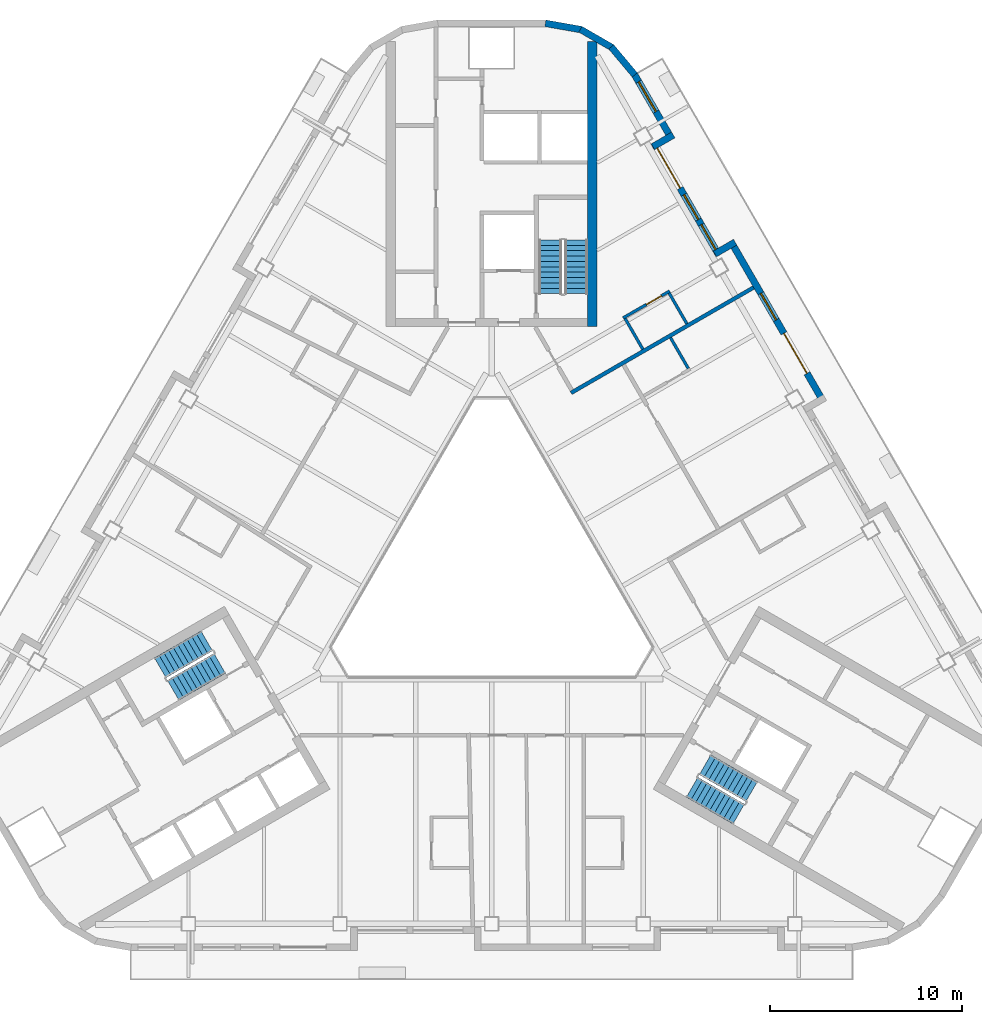
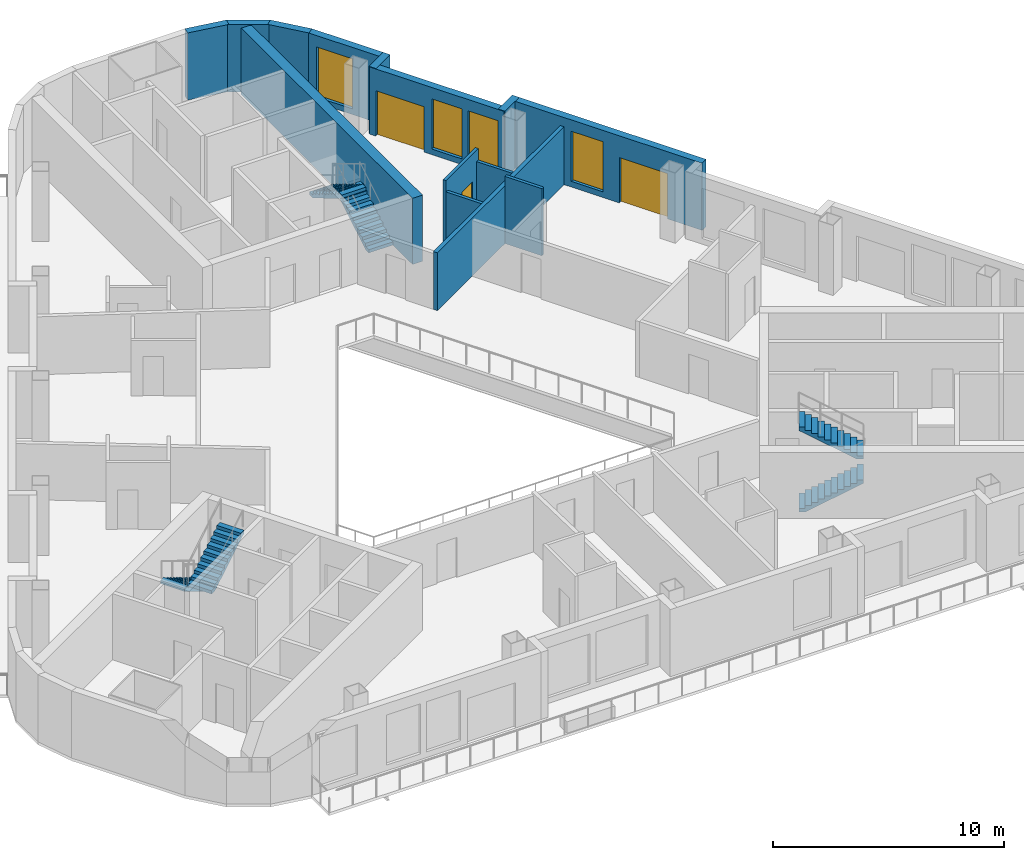
# One storey, part 7 of 13: 14 walls, 6 stair flights, 4 windows, 3 doors, 7 openings, 3 elements without a shape of their own.
"""IFC4 building model written with IfcOpenShell, lengths in metres."""

from ifc_helpers import new_model, si_unit, direction, frame, frame_2d, origin, place, context, subcontext, project, spatial, polyline, rectangle, outline, extrude, material, layer, layer_set, type_object, element, fill, aggregate, save


model = new_model("IFC4")

# Units and contexts
model_context = context("Model", 3, precision=1e-05, world=origin(), true_north=direction((0.0, 1.0)))
body_context = subcontext(model_context, "Body", "Model", "MODEL_VIEW")
ifc_project = project(units=[si_unit("LENGTHUNIT", "METRE"), si_unit("AREAUNIT", "SQUARE_METRE"), si_unit("VOLUMEUNIT", "CUBIC_METRE"), si_unit("PLANEANGLEUNIT", "RADIAN"), si_unit("MASSUNIT", "GRAM", prefix="KILO")], contexts=[model_context])

# Site, building, storey
site_placement = place(None, origin())
site = spatial("IfcSite", under=ifc_project, at=site_placement, CompositionType="ELEMENT")
building_placement = place(site_placement, origin())
building = spatial("IfcBuilding", under=site, at=building_placement, Name="Apuvela Tower Hotel", CompositionType="ELEMENT")
storey_placement = place(building_placement, frame((0.0, 0.0, 198.39990234375)))
storey = spatial("IfcBuildingStorey", under=building, at=storey_placement, Name="L48", CompositionType="ELEMENT", Elevation=198.39990234375)

# Wall
ifc_material_1 = material(Name="Concrete C50/60", Category="concrete")
ifc_layer_1 = layer(ifc_material_1, 0.5)
ifc_layer_set_1 = layer_set([ifc_layer_1], Name="COR-WALL-CORE-500")
wall_type_1 = type_object("IfcWallType", Name="COR-WALL-CORE-500", PredefinedType="SHEAR", material=ifc_layer_set_1)
wall_1_placement = place(storey_placement, frame((5.25, 12.89990234375, 0.0), z_axis=(0.0, 0.0, 1.0), x_axis=(0.0, 1.0, 0.0)))
element("IfcWall", 1, at=wall_1_placement, inside=storey, type_object=wall_type_1, Name="Core wall N", PredefinedType="SHEAR", context=body_context, shape_type="SweptSolid", body=[
    extrude(rectangle(XDim=14.8369140625, YDim=0.5, at=frame_2d((7.41845703125, 0.0))), origin(), (0.0, 0.0, 1.0), 3.5),
])

# Wall, openings, door, window
ifc_material_2 = material(Name="Concrete C40/50, dark pigmented precast panel", Category="concrete")
ifc_layer_2 = layer(ifc_material_2, 0.35009765625)
ifc_layer_set_2 = layer_set([ifc_layer_2], Name="ENV-WALL-350")
wall_type_2 = type_object("IfcWallType", Name="ENV-WALL-350", PredefinedType="SOLIDWALL", material=ifc_layer_set_2)
wall_2_placement = place(storey_placement, frame((17.298583984375, 8.947998046875, 0.0), z_axis=(0.0, 0.0, 1.0), x_axis=(-0.500010041276, 0.866019606374, 0.0)))
wall_2 = element("IfcWall", 2, at=wall_2_placement, inside=storey, type_object=wall_type_2, Name="External wall L48-37", PredefinedType="SOLIDWALL", context=body_context, shape_type="SweptSolid", body=[
    extrude(rectangle(XDim=9.699951171875, YDim=0.35009765625, at=frame_2d((4.85009765625, 0.0))), origin(), (0.0, 0.0, 1.0), 3.550048828125),
])
opening_1_placement = place(wall_2_placement, frame((1.737060546875, 0.0, 0.0)))
opening_1 = element("IfcOpeningElement", 3, at=opening_1_placement, cuts=wall_2, Name="Opening BD24", PredefinedType="OPENING", context=body_context, shape_type="SweptSolid", body=[
    extrude(rectangle(XDim=2.39990234375, YDim=2.39990234375, at=frame_2d((1.199951171875, 1.199951171875))), frame((0.0, 0.18505859375, 0.0), z_axis=(0.0, -1.0, 0.0), x_axis=(1.0, 0.0, 0.0)), (0.0, 0.0, 1.0), 0.3701171875),
])
opening_2_placement = place(wall_2_placement, frame((4.94921875, 0.0, 0.300048828125)))
opening_2 = element("IfcOpeningElement", 4, at=opening_2_placement, cuts=wall_2, Name="Opening WN16", PredefinedType="OPENING", context=body_context, shape_type="SweptSolid", body=[
    extrude(rectangle(XDim=1.60009765625, YDim=2.64990234375, at=frame_2d((0.800048828125, 1.324951171875))), frame((0.0, 0.18505859375, 0.0), z_axis=(0.0, -1.0, 0.0), x_axis=(1.0, 0.0, 0.0)), (0.0, 0.0, 1.0), 0.3701171875),
])
ifc_material_3 = material(Name="Aluminium 6063-T6, dark bronze anodised frame with dark tinted laminated glass", Category="aluminium")
door_type_1 = type_object("IfcDoorType", Name="ENV-DOOR-BALCONY-2400x2400", OperationType="SLIDING_TO_LEFT", PredefinedType="DOOR", material=ifc_material_3)
door_1_placement = place(opening_1_placement, frame((2.39990234375, 0.0, 0.0), z_axis=(0.0, 0.0, 1.0), x_axis=(-1.0, 0.0, 0.0)))
door_1 = element("IfcDoor", 5, at=door_1_placement, inside=storey, type_object=door_type_1, Name="Balcony door BD24", OperationType="SLIDING_TO_LEFT", OverallHeight=2.39990234375, OverallWidth=2.39990234375, PredefinedType="DOOR", context=body_context, shape_type="SweptSolid", body=[
    extrude(rectangle(XDim=2.39990234375, YDim=2.39990234375, at=frame_2d((1.199951171875, 1.199951171875))), frame((0.0, 0.02490234375, 0.0), z_axis=(0.0, -1.0, 0.0), x_axis=(1.0, 0.0, 0.0)), (0.0, 0.0, 1.0), 0.050048828125),
])
fill(opening_1, door_1)
ifc_material_4 = material(Name="Glass, dark tinted laminated insulated glazing unit", Category="glass")
window_type_1 = type_object("IfcWindowType", Name="ENV-WIN-1600x2650", PartitioningType="SINGLE_PANEL", PredefinedType="WINDOW", material=ifc_material_4)
window_1_placement = place(opening_2_placement, origin())
window_1 = element("IfcWindow", 6, at=window_1_placement, inside=storey, type_object=window_type_1, Name="Window WN16", OverallHeight=2.64990234375, OverallWidth=1.60009765625, PartitioningType="SINGLE_PANEL", PredefinedType="WINDOW", context=body_context, shape_type="SweptSolid", body=[
    extrude(rectangle(XDim=1.60009765625, YDim=2.64990234375, at=frame_2d((0.800048828125, 1.324951171875))), frame((0.0, 0.030029296875, 0.0), z_axis=(0.0, -1.0, 0.0), x_axis=(1.0, 0.0, 0.0)), (0.0, 0.0, 1.0), 0.06005859375),
])
fill(opening_2, window_1)

# Wall
wall_3_placement = place(storey_placement, frame((12.6875, 17.284423828125, 0.0), z_axis=(0.0, 0.0, 1.0), x_axis=(-0.865955602162, -0.500120880472, 0.0)))
element("IfcWall", 7, at=wall_3_placement, inside=storey, type_object=wall_type_2, Name="External wall L48-38", PredefinedType="SOLIDWALL", context=body_context, shape_type="SweptSolid", body=[
    extrude(rectangle(XDim=1.219970703125, YDim=0.35009765625, at=frame_2d((0.60986328125, 0.0))), origin(), (0.0, 0.0, 1.0), 3.550048828125),
])

# Wall, openings, door, windows
wall_4_placement = place(storey_placement, frame((11.8291015625, 16.621337890625, 0.0), z_axis=(0.0, 0.0, 1.0), x_axis=(-0.500003597184, 0.866023326939, 0.0)))
wall_4 = element("IfcWall", 8, at=wall_4_placement, inside=storey, type_object=wall_type_2, Name="External wall L48-39", PredefinedType="SOLIDWALL", context=body_context, shape_type="SweptSolid", body=[
    extrude(rectangle(XDim=6.740234375, YDim=0.35009765625, at=frame_2d((3.3701171875, 0.0))), origin(), (0.0, 0.0, 1.0), 3.550048828125),
])
opening_3_placement = place(wall_4_placement, frame((4.01953125, 0.0, 0.0)))
opening_3 = element("IfcOpeningElement", 9, at=opening_3_placement, cuts=wall_4, Name="Opening BD24", PredefinedType="OPENING", context=body_context, shape_type="SweptSolid", body=[
    extrude(rectangle(XDim=2.39990234375, YDim=2.39990234375, at=frame_2d((1.199951171875, 1.199951171875))), frame((0.0, 0.18505859375, 0.0), z_axis=(0.0, -1.0, 0.0), x_axis=(1.0, 0.0, 0.0)), (0.0, 0.0, 1.0), 0.3701171875),
])
opening_4_placement = place(wall_4_placement, frame((0.320068359375, 0.0, 0.300048828125)))
opening_4 = element("IfcOpeningElement", 10, at=opening_4_placement, cuts=wall_4, Name="Opening WN15", PredefinedType="OPENING", context=body_context, shape_type="SweptSolid", body=[
    extrude(rectangle(XDim=1.5, YDim=2.64990234375, at=frame_2d((0.75, 1.324951171875))), frame((0.0, 0.18505859375, 0.0), z_axis=(0.0, -1.0, 0.0), x_axis=(1.0, 0.0, 0.0)), (0.0, 0.0, 1.0), 0.3701171875),
])
opening_5_placement = place(wall_4_placement, frame((2.1201171875, 0.0, 0.300048828125)))
opening_5 = element("IfcOpeningElement", 11, at=opening_5_placement, cuts=wall_4, Name="Opening WN15", PredefinedType="OPENING", context=body_context, shape_type="SweptSolid", body=[
    extrude(rectangle(XDim=1.5, YDim=2.64990234375, at=frame_2d((0.75, 1.324951171875))), frame((0.0, 0.18505859375, 0.0), z_axis=(0.0, -1.0, 0.0), x_axis=(1.0, 0.0, 0.0)), (0.0, 0.0, 1.0), 0.3701171875),
])
door_2_placement = place(opening_3_placement, frame((2.39990234375, 0.0, 0.0), z_axis=(0.0, 0.0, 1.0), x_axis=(-1.0, 0.0, 0.0)))
door_2 = element("IfcDoor", 12, at=door_2_placement, inside=storey, type_object=door_type_1, Name="Balcony door BD24", OperationType="SLIDING_TO_LEFT", OverallHeight=2.39990234375, OverallWidth=2.39990234375, PredefinedType="DOOR", context=body_context, shape_type="SweptSolid", body=[
    extrude(rectangle(XDim=2.39990234375, YDim=2.39990234375, at=frame_2d((1.199951171875, 1.199951171875))), frame((0.0, 0.02490234375, 0.0), z_axis=(0.0, -1.0, 0.0), x_axis=(1.0, 0.0, 0.0)), (0.0, 0.0, 1.0), 0.050048828125),
])
fill(opening_3, door_2)
window_type_2 = type_object("IfcWindowType", Name="ENV-WIN-1500x2650", PartitioningType="SINGLE_PANEL", PredefinedType="WINDOW", material=ifc_material_4)
window_2_placement = place(opening_4_placement, origin())
window_2 = element("IfcWindow", 13, at=window_2_placement, inside=storey, type_object=window_type_2, Name="Window WN15", OverallHeight=2.64990234375, OverallWidth=1.5, PartitioningType="SINGLE_PANEL", PredefinedType="WINDOW", context=body_context, shape_type="SweptSolid", body=[
    extrude(rectangle(XDim=1.5, YDim=2.64990234375, at=frame_2d((0.75, 1.324951171875))), frame((0.0, 0.030029296875, 0.0), z_axis=(0.0, -1.0, 0.0), x_axis=(1.0, 0.0, 0.0)), (0.0, 0.0, 1.0), 0.06005859375),
])
fill(opening_4, window_2)
window_3_placement = place(opening_5_placement, origin())
window_3 = element("IfcWindow", 14, at=window_3_placement, inside=storey, type_object=window_type_2, Name="Window WN15", OverallHeight=2.64990234375, OverallWidth=1.5, PartitioningType="SINGLE_PANEL", PredefinedType="WINDOW", context=body_context, shape_type="SweptSolid", body=[
    extrude(rectangle(XDim=1.5, YDim=2.64990234375, at=frame_2d((0.75, 1.324951171875))), frame((0.0, 0.030029296875, 0.0), z_axis=(0.0, -1.0, 0.0), x_axis=(1.0, 0.0, 0.0)), (0.0, 0.0, 1.0), 0.06005859375),
])
fill(opening_5, window_3)

# Wall
wall_5_placement = place(storey_placement, frame((8.406005859375, 22.26025390625, 0.0), z_axis=(0.0, 0.0, 1.0), x_axis=(0.865955602162, 0.500120880472, 0.0)))
element("IfcWall", 15, at=wall_5_placement, inside=storey, type_object=wall_type_2, Name="External wall L48-40", PredefinedType="SOLIDWALL", context=body_context, shape_type="SweptSolid", body=[
    extrude(rectangle(XDim=1.219970703125, YDim=0.35009765625, at=frame_2d((0.60986328125, 0.0))), origin(), (0.0, 0.0, 1.0), 3.550048828125),
])

# Wall, opening, window
wall_6_placement = place(storey_placement, frame((9.3984375, 22.631103515625, 0.0), z_axis=(0.0, 0.0, 1.0), x_axis=(-0.499954521343, 0.866051659307, 0.0)))
wall_6 = element("IfcWall", 16, at=wall_6_placement, inside=storey, type_object=wall_type_2, Name="External wall L48-41", PredefinedType="SOLIDWALL", context=body_context, shape_type="SweptSolid", body=[
    extrude(rectangle(XDim=3.915771484375, YDim=0.35009765625, at=frame_2d((1.9580078125, 0.0))), origin(), (0.0, 0.0, 1.0), 3.550048828125),
])
opening_6_placement = place(wall_6_placement, frame((1.67626953125, 0.0, 0.300048828125)))
opening_6 = element("IfcOpeningElement", 17, at=opening_6_placement, cuts=wall_6, Name="Opening WN18", PredefinedType="OPENING", context=body_context, shape_type="SweptSolid", body=[
    extrude(rectangle(XDim=1.800048828125, YDim=2.64990234375, at=frame_2d((0.89990234375, 1.324951171875))), frame((0.0, 0.18505859375, 0.0), z_axis=(0.0, -1.0, 0.0), x_axis=(1.0, 0.0, 0.0)), (0.0, 0.0, 1.0), 0.3701171875),
])
window_type_3 = type_object("IfcWindowType", Name="ENV-WIN-1800x2650", PartitioningType="SINGLE_PANEL", PredefinedType="WINDOW", material=ifc_material_4)
window_4_placement = place(opening_6_placement, origin())
window_4 = element("IfcWindow", 18, at=window_4_placement, inside=storey, type_object=window_type_3, Name="Window WN18", OverallHeight=2.64990234375, OverallWidth=1.800048828125, PartitioningType="SINGLE_PANEL", PredefinedType="WINDOW", context=body_context, shape_type="SweptSolid", body=[
    extrude(rectangle(XDim=1.800048828125, YDim=2.64990234375, at=frame_2d((0.89990234375, 1.324951171875))), frame((0.0, 0.030029296875, 0.0), z_axis=(0.0, -1.0, 0.0), x_axis=(1.0, 0.0, 0.0)), (0.0, 0.0, 1.0), 0.06005859375),
])
fill(opening_6, window_4)

# Walls
wall_7_placement = place(storey_placement, frame((7.4580078125, 25.99755859375, 0.0), z_axis=(0.0, 0.0, 1.0), x_axis=(-0.642808304945, 0.766027077259, 0.0)))
element("IfcWall", 19, at=wall_7_placement, inside=storey, type_object=wall_type_2, Name="External wall L48-42", PredefinedType="SOLIDWALL", context=body_context, shape_type="SweptSolid", body=[
    extrude(rectangle(XDim=1.909912109375, YDim=0.35009765625, at=frame_2d((0.955078125, 0.0))), origin(), (0.0, 0.0, 1.0), 3.550048828125),
])
for number, where, z_axis, x_axis, name in (
    (20, (6.27685546875, 27.421630859375, 0.0), (0.0, 0.0, 1.0), (-0.866032345022, 0.499987977232, 0.0), "External wall L48-43"),
    (21, (4.6796875, 28.35595703125, 0.0), (0.0, 0.0, 1.0), (-0.984798995425, 0.173697837091, 0.0), "External wall L48-44"),
):
    element("IfcWall", number, at=place(storey_placement, frame(where, z_axis=z_axis, x_axis=x_axis)), inside=storey, type_object=wall_type_2, Name=name, PredefinedType="SOLIDWALL", context=body_context, shape_type="SweptSolid", body=[
        extrude(rectangle(XDim=1.91015625, YDim=0.35009765625, at=frame_2d((0.955078125, 0.0))), origin(), (0.0, 0.0, 1.0), 3.550048828125),
    ])
ifc_material_5 = material(Name="Gypsum board partition on twin steel stud", Category="steel")
ifc_layer_3 = layer(ifc_material_5, 0.199951171875)
ifc_layer_set_3 = layer_set([ifc_layer_3], Name="GST-PW1")
wall_type_3 = type_object("IfcWallType", Name="GST-PW1", PredefinedType="PARTITIONING", material=ifc_layer_set_3)
wall_8_placement = place(storey_placement, frame((13.64697265625, 14.9228515625, 0.0), z_axis=(0.0, 0.0, 1.0), x_axis=(-0.866027479907, -0.499996404033, 0.0)))
element("IfcWall", 22, at=wall_8_placement, inside=storey, type_object=wall_type_3, Name="L48 partition 04", PredefinedType="PARTITIONING", context=body_context, shape_type="SweptSolid", body=[
    extrude(rectangle(XDim=10.97998046875, YDim=0.199951171875, at=frame_2d((5.489990234375, 0.0))), origin(), (0.0, 0.0, 1.0), 3.06005859375),
])
ifc_material_6 = material(Name="Moisture-resistant gypsum board wet wall on steel stud", Category="steel")
ifc_layer_4 = layer(ifc_material_6, 0.14990234375)
ifc_layer_set_4 = layer_set([ifc_layer_4], Name="GST-PW3")
wall_type_4 = type_object("IfcWallType", Name="GST-PW3", PredefinedType="PARTITIONING", material=ifc_layer_set_4)
wall_9_placement = place(storey_placement, frame((10.244140625, 10.70654296875, 0.0), z_axis=(0.0, 0.0, 1.0), x_axis=(-0.500042316284, 0.866000971088, 0.0)))
element("IfcWall", 23, at=wall_9_placement, inside=storey, type_object=wall_type_4, Name="L48 partition 24", PredefinedType="PARTITIONING", context=body_context, shape_type="SweptSolid", body=[
    extrude(rectangle(XDim=1.849853515625, YDim=0.14990234375, at=frame_2d((0.9248046875, 0.0))), origin(), (0.0, 0.0, 1.0), 3.550048828125),
])

# Wall, opening, door
wall_10_placement = place(storey_placement, frame((9.2744140625, 14.736572265625, 0.0), z_axis=(0.0, 0.0, 1.0), x_axis=(-0.866018616679, -0.500011755427, 0.0)))
wall_10 = element("IfcWall", 24, at=wall_10_placement, inside=storey, type_object=wall_type_4, Name="L48 partition 26", PredefinedType="PARTITIONING", context=body_context, shape_type="SweptSolid", body=[
    extrude(rectangle(XDim=2.80029296875, YDim=0.14990234375, at=frame_2d((1.400146484375, 0.0))), origin(), (0.0, 0.0, 1.0), 3.550048828125),
])
opening_7_placement = place(wall_10_placement, frame((0.5, 0.0, 0.0)))
opening_7 = element("IfcOpeningElement", 25, at=opening_7_placement, cuts=wall_10, Name="Opening GD18-11", PredefinedType="OPENING", context=body_context, shape_type="SweptSolid", body=[
    extrude(rectangle(XDim=0.89990234375, YDim=2.10009765625, at=frame_2d((0.449951171875, 1.050048828125))), frame((0.0, 0.0849609375, 0.0), z_axis=(0.0, -1.0, 0.0), x_axis=(1.0, 0.0, 0.0)), (0.0, 0.0, 1.0), 0.169921875),
])
ifc_material_7 = material(Name="Timber door leaf in steel frame", Category="steel")
door_type_2 = type_object("IfcDoorType", Name="GST-D2", OperationType="NOTDEFINED", PredefinedType="DOOR", material=ifc_material_7)
door_3_placement = place(opening_7_placement, origin())
door_3 = element("IfcDoor", 26, at=door_3_placement, inside=storey, type_object=door_type_2, Name="Door L48-11", OperationType="SINGLE_SWING_LEFT", OverallHeight=2.10009765625, OverallWidth=0.89990234375, PredefinedType="DOOR", context=body_context, shape_type="SweptSolid", body=[
    extrude(rectangle(XDim=0.89990234375, YDim=2.10009765625, at=frame_2d((0.449951171875, 1.050048828125))), frame((0.0, 0.02490234375, 0.0), z_axis=(0.0, -1.0, 0.0), x_axis=(1.0, 0.0, 0.0)), (0.0, 0.0, 1.0), 0.050048828125),
])
fill(opening_7, door_3)

# Walls
wall_11_placement = place(storey_placement, frame((10.171875, 13.031982421875, 0.0), z_axis=(0.0, 0.0, 1.0), x_axis=(-0.500042316284, 0.866000971088, 0.0)))
element("IfcWall", 27, at=wall_11_placement, inside=storey, type_object=wall_type_4, Name="L48 partition 27", PredefinedType="PARTITIONING", context=body_context, shape_type="SweptSolid", body=[
    extrude(rectangle(XDim=1.849853515625, YDim=0.14990234375, at=frame_2d((0.9248046875, 0.0))), origin(), (0.0, 0.0, 1.0), 2.9501953125),
])
wall_12_placement = place(storey_placement, frame((7.876953125, 11.706787109375, 0.0), z_axis=(0.0, 0.0, 1.0), x_axis=(-0.499985172903, 0.866033964044, 0.0)))
element("IfcWall", 28, at=wall_12_placement, inside=storey, type_object=wall_type_4, Name="L48 partition 28", PredefinedType="PARTITIONING", context=body_context, shape_type="SweptSolid", body=[
    extrude(rectangle(XDim=1.85009765625, YDim=0.14990234375, at=frame_2d((0.925048828125, 0.0))), origin(), (0.0, 0.0, 1.0), 2.9501953125),
])

# Stair, stair flights
stair_type = type_object("IfcStairType", Name="COR-STAIR-22R", PredefinedType="HALF_TURN_STAIR", material=ifc_material_1)
stair_1_placement = place(storey_placement, origin())
stair_1 = element("IfcStair", 29, at=stair_1_placement, inside=storey, type_object=stair_type, Name="L48 Exit stair ST1", PredefinedType="HALF_TURN_STAIR")
stair_flight_type = type_object("IfcStairFlightType", Name="COR-FLIGHT-11R", PredefinedType="STRAIGHT", material=ifc_material_1)
stair_flight_1_placement = place(storey_placement, frame((4.39990234375, 14.60009765625, 0.0), z_axis=(0.0, 0.0, 1.0), x_axis=(0.0, 1.0, 0.0)))
stair_flight_1 = element("IfcStairFlight", 30, at=stair_flight_1_placement, type_object=stair_flight_type, Name="ST1 flight 1", NumberOfRisers=11, NumberOfTreads=10, PredefinedType="STRAIGHT", RiserHeight=0.168181818, TreadLength=0.28, context=body_context, shape_type="SweptSolid", body=[
    extrude(outline(polyline([(0.0, 0.0), (0.0, 0.168212890625), (0.280029296875, 0.168212890625), (0.280029296875, 0.33642578125), (0.56005859375, 0.33642578125), (0.56005859375, 0.504638671875), (0.840087890625, 0.504638671875), (0.840087890625, 0.672607421875), (1.1201171875, 0.672607421875), (1.1201171875, 0.8408203125), (1.39990234375, 0.8408203125), (1.39990234375, 1.009033203125), (1.679931640625, 1.009033203125), (1.679931640625, 1.17724609375), (1.9599609375, 1.17724609375), (1.9599609375, 1.345458984375), (2.239990234375, 1.345458984375), (2.239990234375, 1.513671875), (2.52001953125, 1.513671875), (2.52001953125, 1.681884765625), (2.800048828125, 1.681884765625), (2.800048828125, 1.85009765625), (2.800048828125, 1.5068359375), (0.291015625, 0.0), (0.0, 0.0)])), frame((0.0, 0.60009765625, 0.0), z_axis=(0.0, -1.0, 0.0), x_axis=(1.0, 0.0, 0.0)), (0.0, 0.0, 1.0), 1.199951171875),
])
stair_flight_2_placement = place(storey_placement, frame((3.050048828125, 17.39990234375, 1.85009765625), z_axis=(0.0, 0.0, 1.0), x_axis=(0.0, -1.0, 0.0)))
stair_flight_2 = element("IfcStairFlight", 31, at=stair_flight_2_placement, type_object=stair_flight_type, Name="ST1 flight 2", NumberOfRisers=11, NumberOfTreads=10, PredefinedType="STRAIGHT", RiserHeight=0.168181818, TreadLength=0.28, context=body_context, shape_type="SweptSolid", body=[
    extrude(outline(polyline([(0.0, 0.0), (0.0, 0.168212890625), (0.280029296875, 0.168212890625), (0.280029296875, 0.33642578125), (0.56005859375, 0.33642578125), (0.56005859375, 0.504638671875), (0.840087890625, 0.504638671875), (0.840087890625, 0.672607421875), (1.1201171875, 0.672607421875), (1.1201171875, 0.8408203125), (1.39990234375, 0.8408203125), (1.39990234375, 1.009033203125), (1.679931640625, 1.009033203125), (1.679931640625, 1.17724609375), (1.9599609375, 1.17724609375), (1.9599609375, 1.345458984375), (2.239990234375, 1.345458984375), (2.239990234375, 1.513671875), (2.52001953125, 1.513671875), (2.52001953125, 1.681884765625), (2.800048828125, 1.681884765625), (2.800048828125, 1.85009765625), (2.800048828125, 1.5068359375), (0.291015625, 0.0), (0.0, 0.0)])), frame((0.0, 0.60009765625, 0.0), z_axis=(0.0, -1.0, 0.0), x_axis=(1.0, 0.0, 0.0)), (0.0, 0.0, 1.0), 1.199951171875),
])
aggregate(stair_1, [stair_flight_1, stair_flight_2])

stair_2_placement = place(storey_placement, origin())
stair_2 = element("IfcStair", 32, at=stair_2_placement, inside=storey, type_object=stair_type, Name="L48 Exit stair ST2", PredefinedType="HALF_TURN_STAIR")
stair_flight_3_placement = place(storey_placement, frame((-14.843994140625, -3.489501953125, 0.0), z_axis=(0.0, 0.0, 1.0), x_axis=(-0.866025403784, -0.5, 0.0)))
stair_flight_3 = element("IfcStairFlight", 33, at=stair_flight_3_placement, type_object=stair_flight_type, Name="ST2 flight 1", NumberOfRisers=11, NumberOfTreads=10, PredefinedType="STRAIGHT", RiserHeight=0.168181818, TreadLength=0.28, context=body_context, shape_type="SweptSolid", body=[
    extrude(outline(polyline([(0.0, 0.0), (0.0, 0.168212890625), (0.280029296875, 0.168212890625), (0.280029296875, 0.33642578125), (0.56005859375, 0.33642578125), (0.56005859375, 0.504638671875), (0.840087890625, 0.504638671875), (0.840087890625, 0.672607421875), (1.1201171875, 0.672607421875), (1.1201171875, 0.8408203125), (1.39990234375, 0.8408203125), (1.39990234375, 1.009033203125), (1.679931640625, 1.009033203125), (1.679931640625, 1.17724609375), (1.9599609375, 1.17724609375), (1.9599609375, 1.345458984375), (2.239990234375, 1.345458984375), (2.239990234375, 1.513671875), (2.52001953125, 1.513671875), (2.52001953125, 1.681884765625), (2.800048828125, 1.681884765625), (2.800048828125, 1.85009765625), (2.800048828125, 1.5068359375), (0.291015625, 0.0), (0.0, 0.0)])), frame((0.0, 0.60009765625, 0.0), z_axis=(0.0, -1.0, 0.0), x_axis=(1.0, 0.0, 0.0)), (0.0, 0.0, 1.0), 1.199951171875),
])
stair_flight_4_placement = place(storey_placement, frame((-16.59375, -6.05859375, 1.85009765625), z_axis=(0.0, 0.0, 1.0), x_axis=(0.866025403784, 0.5, 0.0)))
stair_flight_4 = element("IfcStairFlight", 34, at=stair_flight_4_placement, type_object=stair_flight_type, Name="ST2 flight 2", NumberOfRisers=11, NumberOfTreads=10, PredefinedType="STRAIGHT", RiserHeight=0.168181818, TreadLength=0.28, context=body_context, shape_type="SweptSolid", body=[
    extrude(outline(polyline([(0.0, 0.0), (0.0, 0.168212890625), (0.280029296875, 0.168212890625), (0.280029296875, 0.33642578125), (0.56005859375, 0.33642578125), (0.56005859375, 0.504638671875), (0.840087890625, 0.504638671875), (0.840087890625, 0.672607421875), (1.1201171875, 0.672607421875), (1.1201171875, 0.8408203125), (1.39990234375, 0.8408203125), (1.39990234375, 1.009033203125), (1.679931640625, 1.009033203125), (1.679931640625, 1.17724609375), (1.9599609375, 1.17724609375), (1.9599609375, 1.345458984375), (2.239990234375, 1.345458984375), (2.239990234375, 1.513671875), (2.52001953125, 1.513671875), (2.52001953125, 1.681884765625), (2.800048828125, 1.681884765625), (2.800048828125, 1.85009765625), (2.800048828125, 1.5068359375), (0.291015625, 0.0), (0.0, 0.0)])), frame((0.0, 0.60009765625, 0.0), z_axis=(0.0, -1.0, 0.0), x_axis=(1.0, 0.0, 0.0)), (0.0, 0.0, 1.0), 1.199951171875),
])
aggregate(stair_2, [stair_flight_3, stair_flight_4])

stair_3_placement = place(storey_placement, origin())
stair_3 = element("IfcStair", 35, at=stair_3_placement, inside=storey, type_object=stair_type, Name="L48 Exit stair ST3", PredefinedType="HALF_TURN_STAIR")
stair_flight_5_placement = place(storey_placement, frame((10.444091796875, -11.110595703125, 0.0), z_axis=(0.0, 0.0, 1.0), x_axis=(0.866025403784, -0.5, 0.0)))
stair_flight_5 = element("IfcStairFlight", 36, at=stair_flight_5_placement, type_object=stair_flight_type, Name="ST3 flight 1", NumberOfRisers=11, NumberOfTreads=10, PredefinedType="STRAIGHT", RiserHeight=0.168181818, TreadLength=0.28, context=body_context, shape_type="SweptSolid", body=[
    extrude(outline(polyline([(0.0, 0.0), (0.0, 0.168212890625), (0.280029296875, 0.168212890625), (0.280029296875, 0.33642578125), (0.56005859375, 0.33642578125), (0.56005859375, 0.504638671875), (0.840087890625, 0.504638671875), (0.840087890625, 0.672607421875), (1.1201171875, 0.672607421875), (1.1201171875, 0.8408203125), (1.39990234375, 0.8408203125), (1.39990234375, 1.009033203125), (1.679931640625, 1.009033203125), (1.679931640625, 1.17724609375), (1.9599609375, 1.17724609375), (1.9599609375, 1.345458984375), (2.239990234375, 1.345458984375), (2.239990234375, 1.513671875), (2.52001953125, 1.513671875), (2.52001953125, 1.681884765625), (2.800048828125, 1.681884765625), (2.800048828125, 1.85009765625), (2.800048828125, 1.5068359375), (0.291015625, 0.0), (0.0, 0.0)])), frame((0.0, 0.60009765625, 0.0), z_axis=(0.0, -1.0, 0.0), x_axis=(1.0, 0.0, 0.0)), (0.0, 0.0, 1.0), 1.199951171875),
])
stair_flight_6_placement = place(storey_placement, frame((13.5439453125, -11.34130859375, 1.85009765625), z_axis=(0.0, 0.0, 1.0), x_axis=(-0.866025403784, 0.5, 0.0)))
stair_flight_6 = element("IfcStairFlight", 37, at=stair_flight_6_placement, type_object=stair_flight_type, Name="ST3 flight 2", NumberOfRisers=11, NumberOfTreads=10, PredefinedType="STRAIGHT", RiserHeight=0.168181818, TreadLength=0.28, context=body_context, shape_type="SweptSolid", body=[
    extrude(outline(polyline([(0.0, 0.0), (0.0, 0.168212890625), (0.280029296875, 0.168212890625), (0.280029296875, 0.33642578125), (0.56005859375, 0.33642578125), (0.56005859375, 0.504638671875), (0.840087890625, 0.504638671875), (0.840087890625, 0.672607421875), (1.1201171875, 0.672607421875), (1.1201171875, 0.8408203125), (1.39990234375, 0.8408203125), (1.39990234375, 1.009033203125), (1.679931640625, 1.009033203125), (1.679931640625, 1.17724609375), (1.9599609375, 1.17724609375), (1.9599609375, 1.345458984375), (2.239990234375, 1.345458984375), (2.239990234375, 1.513671875), (2.52001953125, 1.513671875), (2.52001953125, 1.681884765625), (2.800048828125, 1.681884765625), (2.800048828125, 1.85009765625), (2.800048828125, 1.5068359375), (0.291015625, 0.0), (0.0, 0.0)])), frame((0.0, 0.60009765625, 0.0), z_axis=(0.0, -1.0, 0.0), x_axis=(1.0, 0.0, 0.0)), (0.0, 0.0, 1.0), 1.199951171875),
])
aggregate(stair_3, [stair_flight_5, stair_flight_6])

save(model, "model.ifc")
